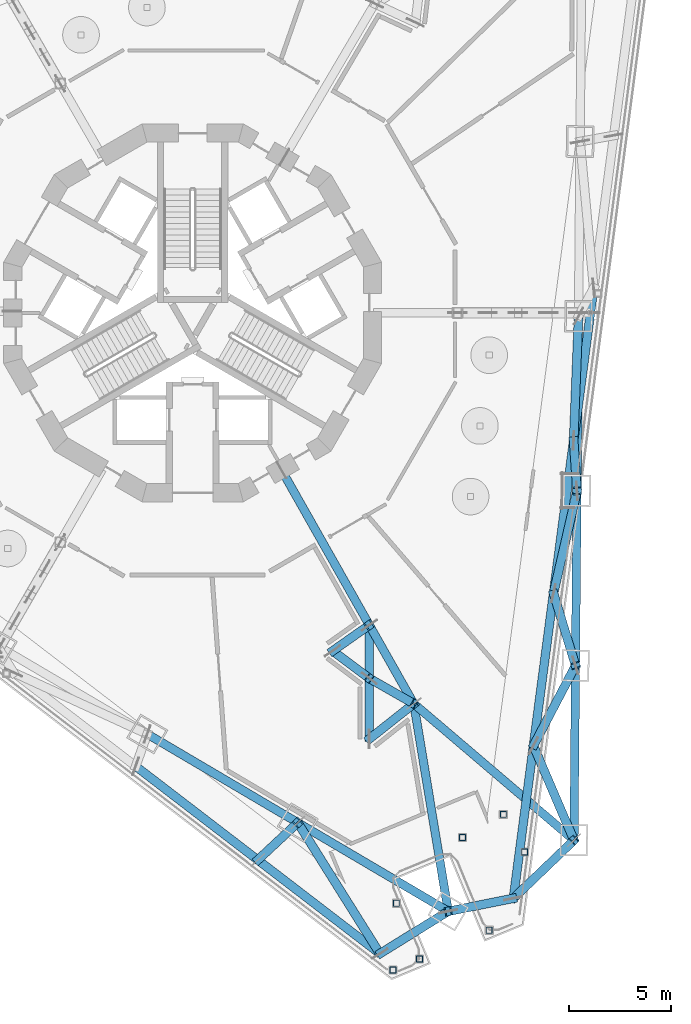
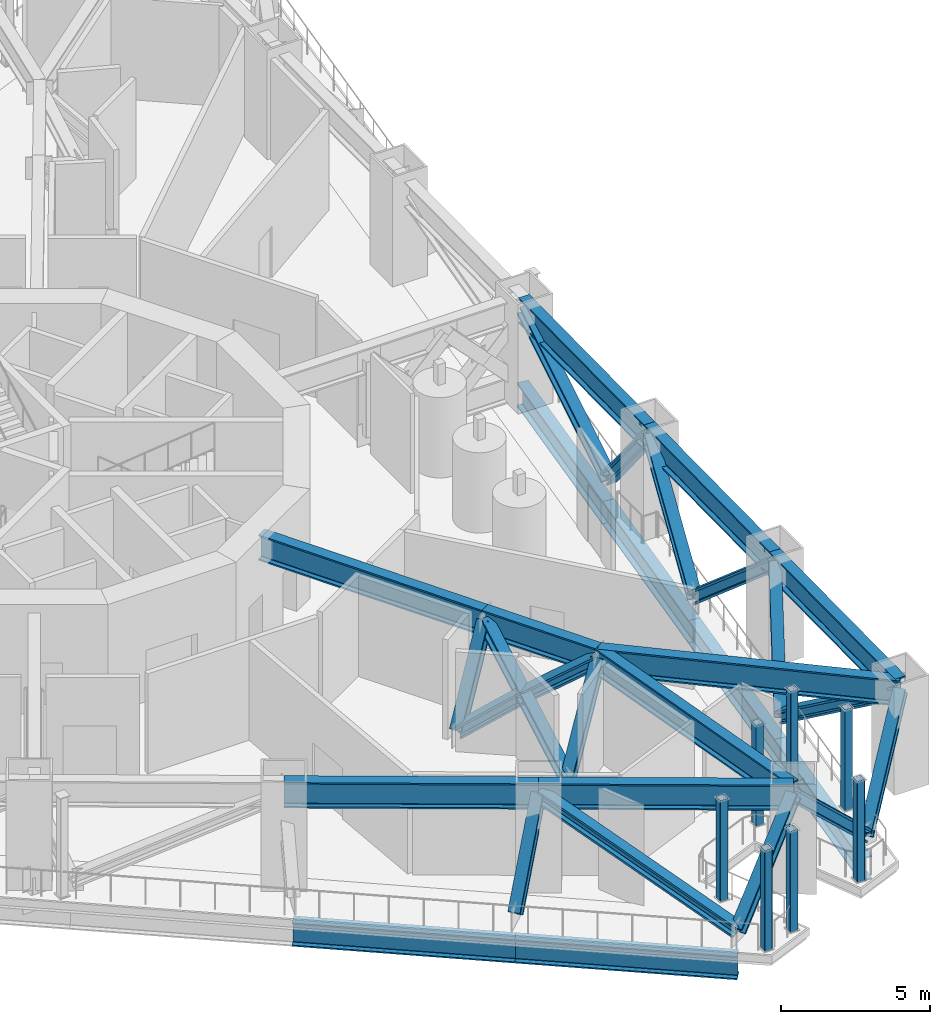
# One storey, part 3 of 23: 34 members, 4 beams.
"""IFC4 building model written with IfcOpenShell, lengths in metres."""

from ifc_helpers import new_model, si_unit, direction, frame, origin, origin_2d, place, context, subcontext, project, spatial, hollow_rectangle, i_section, extrude, material, material_profile, profile_set, type_object, element, save


model = new_model("IFC4")

# Units and contexts
model_context = context("Model", 3, precision=1e-05, world=origin(), true_north=direction((0.0, 1.0)))
body_context = subcontext(model_context, "Body", "Model", "MODEL_VIEW")
ifc_project = project(units=[si_unit("LENGTHUNIT", "METRE"), si_unit("AREAUNIT", "SQUARE_METRE"), si_unit("VOLUMEUNIT", "CUBIC_METRE"), si_unit("PLANEANGLEUNIT", "RADIAN"), si_unit("MASSUNIT", "GRAM", prefix="KILO")], contexts=[model_context])

# Site, building, storey
site_placement = place(None, origin())
site = spatial("IfcSite", under=ifc_project, at=site_placement, CompositionType="ELEMENT")
building_placement = place(site_placement, origin())
building = spatial("IfcBuilding", under=site, at=building_placement, Name="Trine Commons Tower", CompositionType="ELEMENT")
storey_placement = place(building_placement, frame((0.0, 0.0, 156.60009765625)))
storey = spatial("IfcBuildingStorey", under=building, at=storey_placement, Name="L40", CompositionType="ELEMENT", Elevation=156.60009765625)

# Beams
ifc_material_1 = material(Name="Structural steel ASTM A992 Gr50", Category="steel")
ifc_material_profile_1 = material_profile(ifc_material_1, i_section(OverallWidth=0.412841796875, OverallDepth=1.0478515625, WebThickness=0.033935546875, FlangeThickness=0.059814453125, FilletRadius=0.030029296875, at=origin_2d()), Name="W40X431")
ifc_profile_set_1 = profile_set([ifc_material_profile_1], Name="Structural steel ASTM A992 Gr50")
beam_type = type_object("IfcBeamType", Name="Steel beam W40X431, ASTM A992 Gr50", PredefinedType="BEAM", material=ifc_profile_set_1)
for number, where, z_axis, x_axis, name in (
    (1, (98.71240234375, 36.623779296875, 3.6259765625), (-0.761269167775, 0.648436006245, 0.0), (-0.648436006245, -0.761269167775, 0.0), "Transfer truss girder T4-UV-05"),
    (2, (92.54248046875, 33.133056640625, 3.6259765625), (-0.163716444623, 0.986507438269, 0.0), (-0.986507438269, -0.163716444623, 0.0), "Transfer truss girder T4-UV-06"),
):
    element("IfcBeam", number, at=place(storey_placement, frame(where, z_axis=z_axis, x_axis=x_axis)), inside=storey, type_object=beam_type, Name=name, PredefinedType="BEAM", context=body_context, shape_type="SweptSolid", body=[
        extrude(i_section(OverallWidth=0.412841796875, OverallDepth=1.0478515625, WebThickness=0.033935546875, FlangeThickness=0.059814453125, FilletRadius=0.030029296875, at=origin_2d()), origin(), (0.0, 0.0, 1.0), 10.325439453125),
    ])
beam_1_placement = place(storey_placement, frame((84.369384765625, 54.777099609375, 3.6259765625), z_axis=(0.492434010172, -0.870349783493, 0.0), x_axis=(0.870349783493, 0.492434010172, 0.0)))
element("IfcBeam", 3, at=beam_1_placement, inside=storey, type_object=beam_type, Name="Transfer truss girder T4-UR-01", PredefinedType="BEAM", context=body_context, shape_type="SweptSolid", body=[
    extrude(i_section(OverallWidth=0.412841796875, OverallDepth=1.0478515625, WebThickness=0.033935546875, FlangeThickness=0.059814453125, FilletRadius=0.030029296875, at=origin_2d()), origin(), (0.0, 0.0, 1.0), 8.732177734375),
])
beam_2_placement = place(storey_placement, frame((88.66943359375, 47.177001953125, 3.6259765625), z_axis=(0.492409313876, -0.870363755914, 0.0), x_axis=(0.870363755914, 0.492409313876, 0.0)))
element("IfcBeam", 4, at=beam_2_placement, inside=storey, type_object=beam_type, Name="Transfer truss girder T4-UR-02", PredefinedType="BEAM", context=body_context, shape_type="SweptSolid", body=[
    extrude(i_section(OverallWidth=0.412841796875, OverallDepth=1.0478515625, WebThickness=0.033935546875, FlangeThickness=0.059814453125, FilletRadius=0.030029296875, at=origin_2d()), origin(), (0.0, 0.0, 1.0), 4.4326171875),
])

# Members
ifc_material_profile_2 = material_profile(ifc_material_1, i_section(OverallWidth=0.4287109375, OverallDepth=0.482666015625, WebThickness=0.05126953125, FlangeThickness=0.08154296875, FilletRadius=0.015380859375, at=origin_2d()), Name="W14X455")
ifc_profile_set_2 = profile_set([ifc_material_profile_2], Name="Structural steel ASTM A992 Gr50")
member_type_1 = type_object("IfcMemberType", Name="Steel brace W14X455, ASTM A992 Gr50", PredefinedType="BRACE", material=ifc_profile_set_2)
member_1_placement = place(storey_placement, frame((95.737548828125, 33.768310546875, 0.482421875), z_axis=(-0.70577678133, -0.140324840301, 0.694397634019), x_axis=(0.195006250681, -0.980801999486, 0.0)))
element("IfcMember", 5, at=member_1_placement, inside=storey, type_object=member_type_1, Name="Belt truss brace T4-DG-01", PredefinedType="BRACE", context=body_context, shape_type="SweptSolid", body=[
    extrude(i_section(OverallWidth=0.4287109375, OverallDepth=0.482666015625, WebThickness=0.05126953125, FlangeThickness=0.08154296875, FilletRadius=0.015380859375, at=origin_2d()), origin(), (0.0, 0.0, 1.0), 4.527099609375),
])
member_2_placement = place(storey_placement, frame((89.188232421875, 31.055419921875, 0.482421875), z_axis=(0.664898924718, 0.411841462213, 0.623134038479), x_axis=(-0.526574007154, 0.850129293102, 0.0)))
element("IfcMember", 6, at=member_2_placement, inside=storey, type_object=member_type_1, Name="Belt truss brace T4-DG-02", PredefinedType="BRACE", context=body_context, shape_type="SweptSolid", body=[
    extrude(i_section(OverallWidth=0.4287109375, OverallDepth=0.482666015625, WebThickness=0.05126953125, FlangeThickness=0.08154296875, FilletRadius=0.015380859375, at=origin_2d()), origin(), (0.0, 0.0, 1.0), 5.044677734375),
])
member_3_placement = place(storey_placement, frame((83.197021484375, 35.652587890625, 0.482421875), z_axis=(0.474461514654, 0.442972536032, 0.760698102688), x_axis=(-0.682434983762, 0.730946299626, 0.0)))
element("IfcMember", 7, at=member_3_placement, inside=storey, type_object=member_type_1, Name="Belt truss brace T4-DG-03", PredefinedType="BRACE", context=body_context, shape_type="SweptSolid", body=[
    extrude(i_section(OverallWidth=0.4287109375, OverallDepth=0.482666015625, WebThickness=0.05126953125, FlangeThickness=0.08154296875, FilletRadius=0.015380859375, at=origin_2d()), origin(), (0.0, 0.0, 1.0), 4.132568359375),
])
member_4_placement = place(storey_placement, frame((89.188232421875, 31.055419921875, 0.482421875), z_axis=(-0.490787052109, 0.782690744922, 0.382783577621), x_axis=(-0.84721640278, -0.531247933512, 0.0)))
element("IfcMember", 8, at=member_4_placement, inside=storey, type_object=member_type_1, Name="Belt truss brace T4-DG-04", PredefinedType="BRACE", context=body_context, shape_type="SweptSolid", body=[
    extrude(i_section(OverallWidth=0.4287109375, OverallDepth=0.482666015625, WebThickness=0.05126953125, FlangeThickness=0.08154296875, FilletRadius=0.015380859375, at=origin_2d()), origin(), (0.0, 0.0, 1.0), 8.21240234375),
])
member_5_placement = place(storey_placement, frame((98.69482421875, 56.230224609375, 0.482421875), z_axis=(0.035214241384, 0.888493331543, 0.457536399654), x_axis=(-0.999215510654, 0.039602566432, 0.0)))
element("IfcMember", 9, at=member_5_placement, inside=storey, type_object=member_type_1, Name="Belt truss brace T4-DG-36", PredefinedType="BRACE", context=body_context, shape_type="SweptSolid", body=[
    extrude(i_section(OverallWidth=0.4287109375, OverallDepth=0.482666015625, WebThickness=0.05126953125, FlangeThickness=0.08154296875, FilletRadius=0.015380859375, at=origin_2d()), origin(), (0.0, 0.0, 1.0), 6.87060546875),
])
member_6_placement = place(storey_placement, frame((98.69482421875, 56.230224609375, 0.482421875), z_axis=(0.04182192611, -0.616644457978, 0.786130103062), x_axis=(0.997708006929, 0.067666335123, 0.0)))
element("IfcMember", 10, at=member_6_placement, inside=storey, type_object=member_type_1, Name="Belt truss brace T4-DG-37", PredefinedType="BRACE", context=body_context, shape_type="SweptSolid", body=[
    extrude(i_section(OverallWidth=0.4287109375, OverallDepth=0.482666015625, WebThickness=0.05126953125, FlangeThickness=0.08154296875, FilletRadius=0.015380859375, at=origin_2d()), origin(), (0.0, 0.0, 1.0), 3.998779296875),
])
member_7_placement = place(storey_placement, frame((97.708984375, 48.742919921875, 0.482421875), z_axis=(0.191050127398, 0.831996404895, 0.520847224301), x_axis=(-0.974634209053, 0.223803839428, 0.0)))
element("IfcMember", 11, at=member_7_placement, inside=storey, type_object=member_type_1, Name="Belt truss brace T4-DG-38", PredefinedType="BRACE", context=body_context, shape_type="SweptSolid", body=[
    extrude(i_section(OverallWidth=0.4287109375, OverallDepth=0.482666015625, WebThickness=0.05126953125, FlangeThickness=0.08154296875, FilletRadius=0.015380859375, at=origin_2d()), origin(), (0.0, 0.0, 1.0), 6.035400390625),
])
member_8_placement = place(storey_placement, frame((97.708984375, 48.742919921875, 0.482421875), z_axis=(0.221747855792, -0.729920025317, 0.64656372083), x_axis=(0.956820439927, 0.290679627319, 0.0)))
element("IfcMember", 12, at=member_8_placement, inside=storey, type_object=member_type_1, Name="Belt truss brace T4-DG-39", PredefinedType="BRACE", context=body_context, shape_type="SweptSolid", body=[
    extrude(i_section(OverallWidth=0.4287109375, OverallDepth=0.482666015625, WebThickness=0.05126953125, FlangeThickness=0.08154296875, FilletRadius=0.015380859375, at=origin_2d()), origin(), (0.0, 0.0, 1.0), 4.862060546875),
])
member_9_placement = place(storey_placement, frame((96.723388671875, 41.255615234375, 0.482421875), z_axis=(0.378983614309, 0.723265546673, 0.577285344592), x_axis=(-0.885765969754, 0.46413214371, 0.0)))
element("IfcMember", 13, at=member_9_placement, inside=storey, type_object=member_type_1, Name="Belt truss brace T4-DG-40", PredefinedType="BRACE", context=body_context, shape_type="SweptSolid", body=[
    extrude(i_section(OverallWidth=0.4287109375, OverallDepth=0.482666015625, WebThickness=0.05126953125, FlangeThickness=0.08154296875, FilletRadius=0.015380859375, at=origin_2d()), origin(), (0.0, 0.0, 1.0), 5.4453125),
])
member_10_placement = place(storey_placement, frame((95.737548828125, 33.768310546875, 0.482421875), z_axis=(0.573729795561, 0.55070526786, 0.606265477853), x_axis=(-0.692482528669, 0.721434645334, 0.0)))
element("IfcMember", 14, at=member_10_placement, inside=storey, type_object=member_type_1, Name="Belt truss brace T4-DG-41", PredefinedType="BRACE", context=body_context, shape_type="SweptSolid", body=[
    extrude(i_section(OverallWidth=0.4287109375, OverallDepth=0.482666015625, WebThickness=0.05126953125, FlangeThickness=0.08154296875, FilletRadius=0.015380859375, at=origin_2d()), origin(), (0.0, 0.0, 1.0), 5.18505859375),
])
member_11_placement = place(storey_placement, frame((96.723388671875, 41.255615234375, 0.482421875), z_axis=(0.33481086045, -0.779677383632, 0.529154859353), x_axis=(0.918861712974, 0.394579716192, 0.0)))
element("IfcMember", 15, at=member_11_placement, inside=storey, type_object=member_type_1, Name="Belt truss brace T4-DG-42", PredefinedType="BRACE", context=body_context, shape_type="SweptSolid", body=[
    extrude(i_section(OverallWidth=0.4287109375, OverallDepth=0.482666015625, WebThickness=0.05126953125, FlangeThickness=0.08154296875, FilletRadius=0.015380859375, at=origin_2d()), origin(), (0.0, 0.0, 1.0), 5.940673828125),
])
member_12_placement = place(storey_placement, frame((86.87109375, 45.912109375, 0.482421875), z_axis=(0.468789767792, 0.329731168467, 0.819459279132), x_axis=(-0.575309102432, 0.81793608348, 0.0)))
element("IfcMember", 16, at=member_12_placement, inside=storey, type_object=member_type_1, Name="Belt truss brace T4-DG-43", PredefinedType="BRACE", context=body_context, shape_type="SweptSolid", body=[
    extrude(i_section(OverallWidth=0.4287109375, OverallDepth=0.482666015625, WebThickness=0.05126953125, FlangeThickness=0.08154296875, FilletRadius=0.015380859375, at=origin_2d()), origin(), (0.0, 0.0, 1.0), 3.836181640625),
])
member_13_placement = place(storey_placement, frame((88.66259765625, 41.58642578125, 0.482421875), z_axis=(0.001065821027, 0.871651274567, 0.490125412085), x_axis=(-0.999999252429, 0.001222759905, 0.0)))
element("IfcMember", 17, at=member_13_placement, inside=storey, type_object=member_type_1, Name="Belt truss brace T4-DG-44", PredefinedType="BRACE", context=body_context, shape_type="SweptSolid", body=[
    extrude(i_section(OverallWidth=0.4287109375, OverallDepth=0.482666015625, WebThickness=0.05126953125, FlangeThickness=0.08154296875, FilletRadius=0.015380859375, at=origin_2d()), origin(), (0.0, 0.0, 1.0), 6.413818359375),
])
member_14_placement = place(storey_placement, frame((88.66259765625, 41.58642578125, 0.482421875), z_axis=(0.520741129016, 0.412098549579, 0.747665340902), x_axis=(-0.620559596331, 0.784159287008, 0.0)))
element("IfcMember", 18, at=member_14_placement, inside=storey, type_object=member_type_1, Name="Belt truss brace T4-DG-45", PredefinedType="BRACE", context=body_context, shape_type="SweptSolid", body=[
    extrude(i_section(OverallWidth=0.4287109375, OverallDepth=0.482666015625, WebThickness=0.05126953125, FlangeThickness=0.08154296875, FilletRadius=0.015380859375, at=origin_2d()), origin(), (0.0, 0.0, 1.0), 4.20458984375),
])
member_15_placement = place(storey_placement, frame((86.87109375, 45.912109375, 0.482421875), z_axis=(0.641071077802, -0.480737919625, 0.598263257973), x_axis=(0.599947772582, 0.8000391679, 0.0)))
element("IfcMember", 19, at=member_15_placement, inside=storey, type_object=member_type_1, Name="Belt truss brace T4-DG-46a", PredefinedType="BRACE", context=body_context, shape_type="SweptSolid", body=[
    extrude(i_section(OverallWidth=0.4287109375, OverallDepth=0.482666015625, WebThickness=0.05126953125, FlangeThickness=0.08154296875, FilletRadius=0.015380859375, at=origin_2d()), origin(), (0.0, 0.0, 1.0), 2.80029296875),
])
member_16_placement = place(storey_placement, frame((88.666259765625, 44.56591796875, 2.15771484375), z_axis=(0.750247683586, -0.427958775837, 0.503963986271), x_axis=(0.49548055317, 0.868619031239, 0.0)))
element("IfcMember", 20, at=member_16_placement, inside=storey, type_object=member_type_1, Name="Belt truss brace T4-DG-46b", PredefinedType="BRACE", context=body_context, shape_type="SweptSolid", body=[
    extrude(i_section(OverallWidth=0.4287109375, OverallDepth=0.482666015625, WebThickness=0.05126953125, FlangeThickness=0.08154296875, FilletRadius=0.015380859375, at=origin_2d()), origin(), (0.0, 0.0, 1.0), 2.913330078125),
])
ifc_material_profile_3 = material_profile(ifc_material_1, i_section(OverallWidth=0.42529296875, OverallDepth=0.965087890625, WebThickness=0.0283203125, FlangeThickness=0.051025390625, FilletRadius=0.024169921875, at=origin_2d()), Name="W36X361")
ifc_profile_set_3 = profile_set([ifc_material_profile_3], Name="Structural steel ASTM A992 Gr50")
member_type_2 = type_object("IfcMemberType", Name="Steel chord W36X361, ASTM A992 Gr50", PredefinedType="CHORD", material=ifc_profile_set_3)
member_17_placement = place(storey_placement, frame((89.188232421875, 31.055419921875, -0.9326171875), z_axis=(-0.793356529938, 0.608757272157, 0.0), x_axis=(-0.608757272157, -0.793356529938, 0.0)))
element("IfcMember", 21, at=member_17_placement, inside=storey, type_object=member_type_2, Name="Belt truss chord T4-LC-01", PredefinedType="CHORD", context=body_context, shape_type="SweptSolid", body=[
    extrude(i_section(OverallWidth=0.42529296875, OverallDepth=0.965087890625, WebThickness=0.0283203125, FlangeThickness=0.051025390625, FilletRadius=0.024169921875, at=origin_2d()), origin(), (0.0, 0.0, 1.0), 7.5517578125),
])
for number, where, z_axis, x_axis, name in (
    (22, (83.197021484375, 35.652587890625, -0.9326171875), (-0.793352897067, 0.608762006629, 0.0), (-0.608762006629, -0.793352897067, 0.0), "Belt truss chord T4-LC-02"),
    (23, (99.680419921875, 63.717529296875, -0.9326171875), (-0.130509706106, -0.991447031672, 0.0), (0.991447031672, -0.130509706106, 0.0), "Belt truss chord T4-LC-18"),
    (24, (98.69482421875, 56.230224609375, -0.9326171875), (-0.130541483651, -0.991442848099, 0.0), (0.991442848099, -0.130541483651, 0.0), "Belt truss chord T4-LC-19"),
    (25, (97.708984375, 48.742919921875, -0.9326171875), (-0.130509706106, -0.991447031672, 0.0), (0.991447031672, -0.130509706106, 0.0), "Belt truss chord T4-LC-20"),
    (26, (96.723388671875, 41.255615234375, -0.9326171875), (-0.130541483651, -0.991442848099, 0.0), (0.991442848099, -0.130541483651, 0.0), "Belt truss chord T4-LC-21"),
):
    element("IfcMember", number, at=place(storey_placement, frame(where, z_axis=z_axis, x_axis=x_axis)), inside=storey, type_object=member_type_2, Name=name, PredefinedType="CHORD", context=body_context, shape_type="SweptSolid", body=[
        extrude(i_section(OverallWidth=0.42529296875, OverallDepth=0.965087890625, WebThickness=0.0283203125, FlangeThickness=0.051025390625, FilletRadius=0.024169921875, at=origin_2d()), origin(), (0.0, 0.0, 1.0), 7.552001953125),
    ])
ifc_material_profile_4 = material_profile(ifc_material_1, i_section(OverallWidth=0.412841796875, OverallDepth=1.0478515625, WebThickness=0.033935546875, FlangeThickness=0.059814453125, FilletRadius=0.030029296875, at=origin_2d()), Name="W40X431")
ifc_profile_set_4 = profile_set([ifc_material_profile_4], Name="Structural steel ASTM A992 Gr50")
member_type_3 = type_object("IfcMemberType", Name="Steel chord W40X431, ASTM A992 Gr50", PredefinedType="CHORD", material=ifc_profile_set_4)
member_18_placement = place(storey_placement, frame((92.54248046875, 33.133056640625, 3.6259765625), z_axis=(-0.861622105485, 0.50755033971, 0.0), x_axis=(-0.50755033971, -0.861622105485, 0.0)))
element("IfcMember", 27, at=member_18_placement, inside=storey, type_object=member_type_3, Name="Belt truss chord T4-UC-01", PredefinedType="CHORD", context=body_context, shape_type="SweptSolid", body=[
    extrude(i_section(OverallWidth=0.412841796875, OverallDepth=1.0478515625, WebThickness=0.033935546875, FlangeThickness=0.059814453125, FilletRadius=0.030029296875, at=origin_2d()), origin(), (0.0, 0.0, 1.0), 8.57080078125),
])
for number, where, z_axis, x_axis, name in (
    (28, (85.15771484375, 37.483154296875, 3.6259765625), (-0.861627224705, 0.507541649174, 0.0), (-0.507541649174, -0.861627224705, 0.0), "Belt truss chord T4-UC-02"),
    (29, (98.936767578125, 62.334716796875, 3.6259765625), (-0.008716624171, -0.99996200951, 0.0), (0.99996200951, -0.008716624171, 0.0), "Belt truss chord T4-UC-16"),
    (30, (98.862060546875, 53.764404296875, 3.6259765625), (-0.008745107696, -0.999961760815, 0.0), (0.999961760815, -0.008745107696, 0.0), "Belt truss chord T4-UC-17"),
    (31, (98.787109375, 45.194091796875, 3.6259765625), (-0.008716624171, -0.99996200951, 0.0), (0.99996200951, -0.008716624171, 0.0), "Belt truss chord T4-UC-18"),
):
    element("IfcMember", number, at=place(storey_placement, frame(where, z_axis=z_axis, x_axis=x_axis)), inside=storey, type_object=member_type_3, Name=name, PredefinedType="CHORD", context=body_context, shape_type="SweptSolid", body=[
        extrude(i_section(OverallWidth=0.412841796875, OverallDepth=1.0478515625, WebThickness=0.033935546875, FlangeThickness=0.059814453125, FilletRadius=0.030029296875, at=origin_2d()), origin(), (0.0, 0.0, 1.0), 8.570556640625),
    ])
ifc_material_2 = material(Name="Structural steel ASTM A500 Gr C", Category="steel")
ifc_material_profile_5 = material_profile(ifc_material_2, hollow_rectangle(XDim=0.3046875, YDim=0.3046875, WallThickness=0.014892578125, InnerFilletRadius=0.00732421875, OuterFilletRadius=0.022216796875, at=origin_2d()), Name="HSS12X12X5/8")
ifc_profile_set_5 = profile_set([ifc_material_profile_5], Name="Structural steel ASTM A500 Gr C")
member_type_4 = type_object("IfcMemberType", Name="Steel post HSS12X12X5/8, ASTM A500 Gr C", PredefinedType="POST", material=ifc_profile_set_5)
for number, where, z_axis, x_axis, name in (
    (32, (91.13232421875, 30.789794921875, 0.0), (0.0, 0.0, 1.0), (1.0, 0.0, 0.0), "Roof post SP4-31"),
    (33, (89.827880859375, 30.24951171875, 0.0), (0.0, 0.0, 1.0), (1.0, 0.0, 0.0), "Roof post SP4-32"),
    (34, (89.997314453125, 33.52978515625, 0.0), (0.0, 0.0, 1.0), (1.0, 0.0, 0.0), "Roof post SP4-34"),
    (35, (94.55078125, 32.205810546875, 0.0), (0.0, 0.0, 1.0), (1.0, 0.0, 0.0), "Roof post SP4-41"),
    (36, (95.244384765625, 37.89111328125, 0.0), (0.0, 0.0, 1.0), (1.0, 0.0, 0.0), "Roof post SP4-42"),
    (37, (93.242431640625, 36.758544921875, 0.0), (0.0, 0.0, 1.0), (1.0, 0.0, 0.0), "Roof post SP4-43"),
    (38, (96.289306640625, 36.0439453125, 0.0), (0.0, 0.0, 1.0), (1.0, 0.0, 0.0), "Roof post SP4-44"),
):
    element("IfcMember", number, at=place(storey_placement, frame(where, z_axis=z_axis, x_axis=x_axis)), inside=storey, type_object=member_type_4, Name=name, PredefinedType="POST", context=body_context, shape_type="SweptSolid", body=[
        extrude(hollow_rectangle(XDim=0.3046875, YDim=0.3046875, WallThickness=0.014892578125, InnerFilletRadius=0.00732421875, OuterFilletRadius=0.022216796875, at=origin_2d()), origin(), (0.0, 0.0, 1.0), 4.14990234375),
    ])

save(model, "model.ifc")
